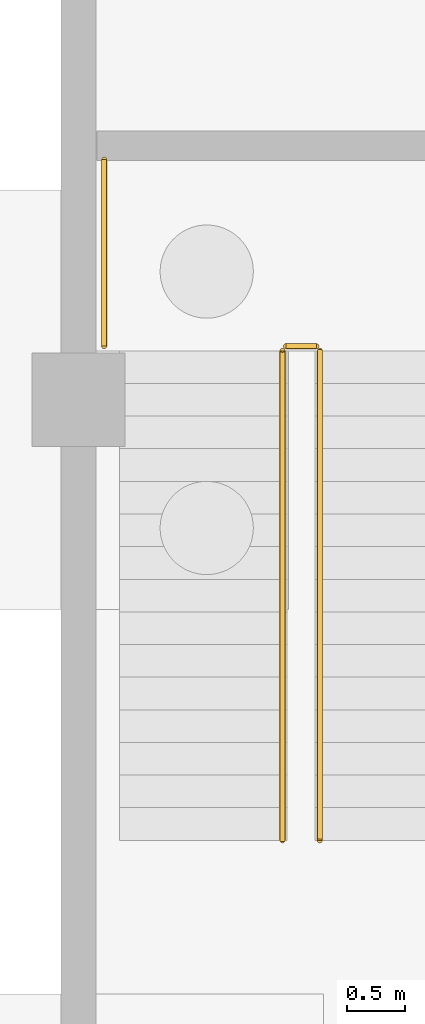
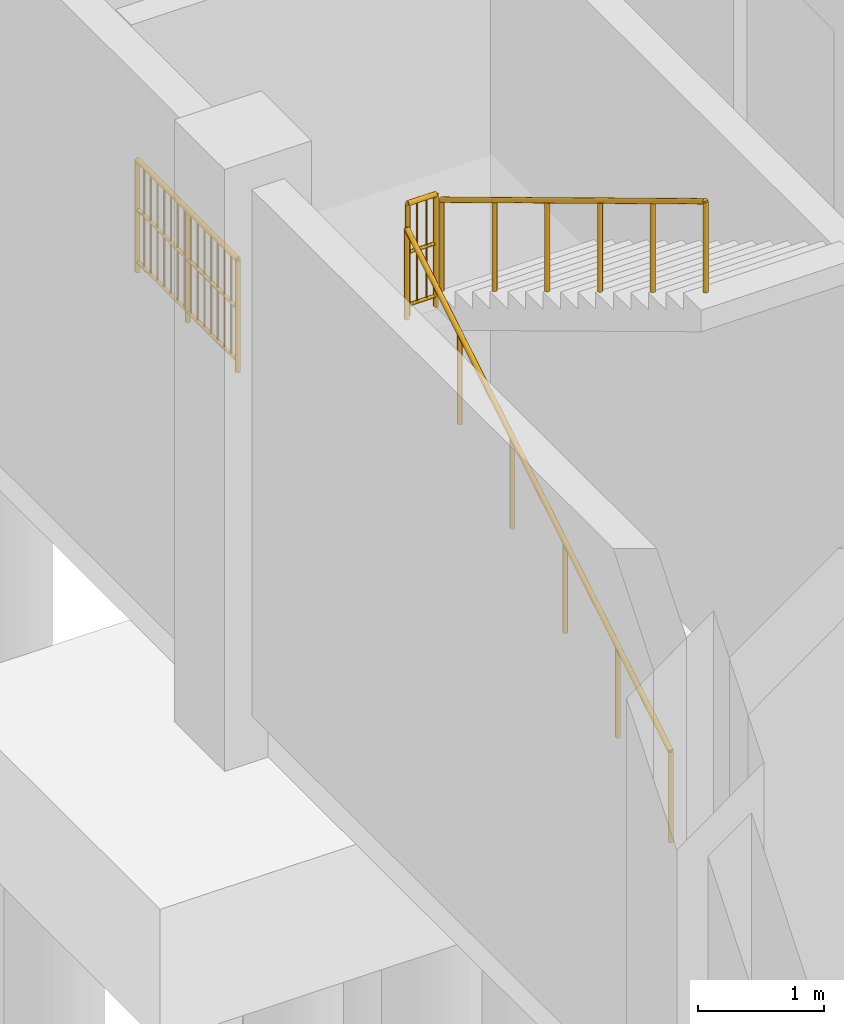
# One storey, part 32 of 35: 4 railings.
"""IFC4 building model written with IfcOpenShell, lengths in metres."""

import ifcopenshell
import ifcopenshell.guid

model = None  # the IFC model being written
_history = None  # IfcOwnerHistory: only IFC2X3 demands one
_inside = {}  # id of a spatial element -> (the spatial element, [elements in it])
_under = {}  # id of a project, library or spatial element -> (it, [spatial elements below it])
_declared = {}  # id of a project -> (the project, [libraries it declares])
_typed = {}  # id of a type object -> (the type object, [elements of that type])
_made_of = {}  # id of a material, layer set ... -> (it, [elements and type objects made of it])


def new_model(schema):
    """Start an empty IFC model of exactly this schema.

    Asked for "IFC4X3", IfcOpenShell would pick the latest addendum, in which some entities
    have other attributes; the version numbers below select the first issue.
    IFC2X3 requires an IfcOwnerHistory on every rooted entity: one is made here for all.
    """
    global model, _history
    if schema == "IFC4X3":
        model = ifcopenshell.file(schema_version=(4, 3, 0, 0))
    else:
        model = ifcopenshell.file(schema=schema)
    _inside.clear()
    _under.clear()
    _declared.clear()
    _typed.clear()
    _made_of.clear()
    _history = None
    if model.schema == "IFC2X3":
        org = make("IfcOrganization", Name="unknown")
        user = make(
            "IfcPersonAndOrganization",
            ThePerson=make("IfcPerson", FamilyName="unknown"),
            TheOrganization=org,
        )
        app = make(
            "IfcApplication",
            ApplicationDeveloper=org,
            Version="unknown",
            ApplicationFullName="unknown",
            ApplicationIdentifier="unknown",
        )
        _history = make(
            "IfcOwnerHistory",
            OwningUser=user,
            OwningApplication=app,
            ChangeAction="ADDED",
            CreationDate=0,
        )
    return model


def make(cls, **values):
    """One entity of the class cls with the attributes given. An attribute that is None is left unset."""
    return model.create_entity(
        cls, **{name: value for name, value in values.items() if value is not None}
    )


def rooted(cls, **values):
    """An entity with a GlobalId (a new one), such as an element, a storey or a relation."""
    return make(cls, GlobalId=ifcopenshell.guid.new(), OwnerHistory=_history, **values)


def si_unit(unit_type, name, prefix=None):
    """IfcSIUnit, for example si_unit("LENGTHUNIT", "METRE", prefix="MILLI")."""
    return make("IfcSIUnit", UnitType=unit_type, Prefix=prefix, Name=name)


def assignment(units):
    """IfcUnitAssignment: the units of a project."""
    return None if units is None else make("IfcUnitAssignment", Units=units)


def point(xyz):
    """IfcCartesianPoint."""
    return None if xyz is None else make("IfcCartesianPoint", Coordinates=xyz)


def direction(xyz):
    """IfcDirection."""
    return None if xyz is None else make("IfcDirection", DirectionRatios=xyz)


def frame(location, z_axis=None, x_axis=None):
    """IfcAxis2Placement3D, a coordinate frame: its origin and axes. An axis left out is left unset."""
    return make(
        "IfcAxis2Placement3D",
        Location=point(location),
        Axis=direction(z_axis),
        RefDirection=direction(x_axis),
    )


def frame_2d(location, x_axis=None):
    """IfcAxis2Placement2D, a coordinate frame in the plane: its origin and x axis."""
    return make(
        "IfcAxis2Placement2D", Location=point(location), RefDirection=direction(x_axis)
    )


def origin():
    """The frame at (0, 0, 0) with its axes left unset."""
    return frame((0.0, 0.0, 0.0))


def origin_2d():
    """The frame at (0, 0) in the plane with its x axis left unset."""
    return frame_2d((0.0, 0.0))


def place(relative_to, where):
    """IfcLocalPlacement: puts the frame where relative to a parent placement (None: the world)."""
    return make(
        "IfcLocalPlacement", PlacementRelTo=relative_to, RelativePlacement=where
    )


def context(
    kind, dimensions, precision=None, world=None, true_north=None, identifier=None
):
    """IfcGeometricRepresentationContext, for example the 3D "Model" context."""
    return make(
        "IfcGeometricRepresentationContext",
        ContextIdentifier=identifier,
        ContextType=kind,
        CoordinateSpaceDimension=dimensions,
        Precision=precision,
        WorldCoordinateSystem=world,
        TrueNorth=true_north,
    )


def subcontext(parent, identifier, kind, view, scale=None):
    """IfcGeometricRepresentationSubContext, for example "Body" below "Model"."""
    return make(
        "IfcGeometricRepresentationSubContext",
        ContextIdentifier=identifier,
        ContextType=kind,
        ParentContext=parent,
        TargetScale=scale,
        TargetView=view,
    )


def project(units=None, contexts=None):
    """IfcProject with its units and contexts."""
    return rooted(
        "IfcProject",
        Name="project",
        RepresentationContexts=contexts,
        UnitsInContext=assignment(units),
    )


def spatial(cls, under=None, at=None, **own):
    """A site, building, storey or space (cls), placed at a placement, below another one or the project."""
    s = rooted(cls, ObjectPlacement=at, **own)
    if under is not None:
        _under.setdefault(under.id(), (under, []))[1].append(s)
    return s


def profile(cls, at=None, kind="AREA", **sizes):
    """A parametric profile (cls). Its sizes go by their IFC names, for example OverallWidth=200.0."""
    return make(cls, ProfileType=kind, Position=at, **sizes)


def circle(**sizes):
    """IfcCircleProfileDef."""
    return profile("IfcCircleProfileDef", **sizes)


def extrude(swept, where, along, depth):
    """IfcExtrudedAreaSolid: the profile swept, set in the frame where, extruded along a direction by depth."""
    return make(
        "IfcExtrudedAreaSolid",
        SweptArea=swept,
        Position=where,
        ExtrudedDirection=direction(along),
        Depth=depth,
    )


def shape(context_of_items, identifier, shape_type, items):
    """IfcShapeRepresentation: the items that make up one representation, for example the "Body"."""
    return make(
        "IfcShapeRepresentation",
        ContextOfItems=context_of_items,
        RepresentationIdentifier=identifier,
        RepresentationType=shape_type,
        Items=items,
    )


def material(Name=None, Category=None):
    """IfcMaterial."""
    return make("IfcMaterial", Name=Name, Category=Category)


def made_of(thing, what):
    """Note that an element or type object is made of a material, layer set ...; save() writes the relation."""
    if what is not None:
        _made_of.setdefault(what.id(), (what, []))[1].append(thing)
    return thing


def type_object(cls, material=None, **own):
    """A type object (cls), such as IfcWallType, which elements share."""
    return made_of(rooted(cls, **own), material)


def element(
    cls,
    number,
    at=None,
    inside=None,
    cuts=None,
    type_object=None,
    material=None,
    context=None,
    identifier="Body",
    shape_type=None,
    held_by="IfcProductDefinitionShape",
    body=None,
    shapes=None,
    **own,
):
    """One element of the class cls, such as IfcWall. Its Tag is "e" and its number.

    at: its placement. inside: the storey or other place that contains it. cuts: it is an
    opening in that element (IfcRelVoidsElement). A single representation is given by context,
    identifier, shape_type and body (its items); several are given by shapes. held_by: the class
    of the entity that holds the representations. save() writes the other relations.
    """
    e = rooted(cls, Tag="e%d" % number, ObjectPlacement=at, **own)
    if body is not None:
        shapes = [shape(context, identifier, shape_type, body)]
    if shapes is not None:
        e.Representation = make(held_by, Representations=shapes)
    if inside is not None:
        _inside.setdefault(inside.id(), (inside, []))[1].append(e)
    if cuts is not None:
        rooted(
            "IfcRelVoidsElement", RelatingBuildingElement=cuts, RelatedOpeningElement=e
        )
    if type_object is not None:
        _typed.setdefault(type_object.id(), (type_object, []))[1].append(e)
    return made_of(e, material)


def aggregate(whole, parts):
    """IfcRelAggregates: a whole, such as a stair, and the parts it consists of."""
    return rooted("IfcRelAggregates", RelatingObject=whole, RelatedObjects=parts)


def save(model, path):
    """Write the relations noted so far, then the file.

    IfcRelAggregates (storeys below a building ...), IfcRelContainedInSpatialStructure (elements
    in a storey), IfcRelDefinesByType, IfcRelAssociatesMaterial and IfcRelDeclares: one each for
    every whole, place, type object, material and project.
    """
    for whole, parts in _under.values():
        aggregate(whole, parts)
    for where, things in _inside.values():
        rooted(
            "IfcRelContainedInSpatialStructure",
            RelatedElements=things,
            RelatingStructure=where,
        )
    for kind, things in _typed.values():
        rooted("IfcRelDefinesByType", RelatedObjects=things, RelatingType=kind)
    for what, things in _made_of.values():
        rooted("IfcRelAssociatesMaterial", RelatedObjects=things, RelatingMaterial=what)
    for by, libraries in _declared.values():
        rooted("IfcRelDeclares", RelatingContext=by, RelatedDefinitions=libraries)
    model.write(path)


model = new_model("IFC4")

# Units and contexts
model_context = context("Model", 3, precision=1e-05, world=origin(), true_north=direction((0.0, 1.0)))
body_context = subcontext(model_context, "Body", "Model", "MODEL_VIEW")
ifc_project = project(units=[si_unit("LENGTHUNIT", "METRE"), si_unit("AREAUNIT", "SQUARE_METRE"), si_unit("VOLUMEUNIT", "CUBIC_METRE"), si_unit("PLANEANGLEUNIT", "RADIAN"), si_unit("MASSUNIT", "GRAM", prefix="KILO")], contexts=[model_context])

# Site, building, storey
site_placement = place(None, origin())
site = spatial("IfcSite", under=ifc_project, at=site_placement, CompositionType="ELEMENT")
building_placement = place(site_placement, origin())
building = spatial("IfcBuilding", under=site, at=building_placement, Name="Vesperath Aquatics Centre", CompositionType="ELEMENT")
storey_placement = place(building_placement, frame((0.0, 0.0, -5.39990234375)))
storey = spatial("IfcBuildingStorey", under=building, at=storey_placement, Name="B1", CompositionType="ELEMENT", Elevation=-5.39990234375)

# Railings
ifc_material_1 = material(Name="Powder-coated galvanized steel safety guard", Category="steel")
railing_type_1 = type_object("IfcRailingType", Name="RL-GRD01", PredefinedType="GUARDRAIL", material=ifc_material_1)
railing_1_placement = place(storey_placement, frame((95.3798828125, 65.260009765625, 2.699951171875)))
element("IfcRailing", 1, at=railing_1_placement, inside=storey, type_object=railing_type_1, Name="Stair ST8 Half-Landing Slot Guard GR02 B1", PredefinedType="GUARDRAIL", context=body_context, shape_type="SweptSolid", body=[
    extrude(circle(Radius=0.02392578125, at=origin_2d()), frame((0.0, 0.0, 1.0859375), z_axis=(1.0, 0.0, 0.0), x_axis=(0.0, 1.0, 0.0)), (0.0, 0.0, 1.0), 0.260009765625),
    extrude(circle(Radius=0.01611328125, at=origin_2d()), frame((0.0, 0.0, 0.10009765625), z_axis=(1.0, 0.0, 0.0), x_axis=(0.0, 1.0, 0.0)), (0.0, 0.0, 1.0), 0.260009765625),
    extrude(circle(Radius=0.01611328125, at=origin_2d()), frame((0.0, 0.0, 0.610595703125), z_axis=(1.0, 0.0, 0.0), x_axis=(0.0, 1.0, 0.0)), (0.0, 0.0, 1.0), 0.260009765625),
    extrude(circle(Radius=0.009033203125, at=origin_2d()), frame((0.086669921875, 0.0, 0.10009765625)), (0.0, 0.0, 1.0), 0.9619140625),
    extrude(circle(Radius=0.009033203125, at=origin_2d()), frame((0.17333984375, 0.0, 0.10009765625)), (0.0, 0.0, 1.0), 0.9619140625),
    extrude(circle(Radius=0.02197265625, at=origin_2d()), origin(), (0.0, 0.0, 1.0), 1.0859375),
    extrude(circle(Radius=0.02197265625, at=origin_2d()), frame((0.260009765625, 0.0, 0.0)), (0.0, 0.0, 1.0), 1.0859375),
])
railing_2_placement = place(storey_placement, frame((93.820068359375, 65.260009765625, 2.699951171875)))
element("IfcRailing", 2, at=railing_2_placement, inside=storey, type_object=railing_type_1, Name="Stair ST8 Half-Landing Wall Guard GR02 B1", PredefinedType="GUARDRAIL", context=body_context, shape_type="SweptSolid", body=[
    extrude(circle(Radius=0.02392578125, at=origin_2d()), frame((0.0, 0.0, 1.0859375), z_axis=(0.0, 1.0, 0.0), x_axis=(-1.0, 0.0, 0.0)), (0.0, 0.0, 1.0), 1.60009765625),
    extrude(circle(Radius=0.01611328125, at=origin_2d()), frame((0.0, 0.0, 0.10009765625), z_axis=(0.0, 1.0, 0.0), x_axis=(-1.0, 0.0, 0.0)), (0.0, 0.0, 1.0), 1.60009765625),
    extrude(circle(Radius=0.01611328125, at=origin_2d()), frame((0.0, 0.0, 0.610595703125), z_axis=(0.0, 1.0, 0.0), x_axis=(-1.0, 0.0, 0.0)), (0.0, 0.0, 1.0), 1.60009765625),
    extrude(circle(Radius=0.009033203125, at=origin_2d()), frame((0.0, 0.106689453125, 0.10009765625)), (0.0, 0.0, 1.0), 0.9619140625),
    extrude(circle(Radius=0.009033203125, at=origin_2d()), frame((0.0, 0.21337890625, 0.10009765625)), (0.0, 0.0, 1.0), 0.9619140625),
    extrude(circle(Radius=0.009033203125, at=origin_2d()), frame((0.0, 0.320068359375, 0.10009765625)), (0.0, 0.0, 1.0), 0.9619140625),
    extrude(circle(Radius=0.009033203125, at=origin_2d()), frame((0.0, 0.4267578125, 0.10009765625)), (0.0, 0.0, 1.0), 0.9619140625),
    extrude(circle(Radius=0.009033203125, at=origin_2d()), frame((0.0, 0.533447265625, 0.10009765625)), (0.0, 0.0, 1.0), 0.9619140625),
    extrude(circle(Radius=0.009033203125, at=origin_2d()), frame((0.0, 0.64013671875, 0.10009765625)), (0.0, 0.0, 1.0), 0.9619140625),
    extrude(circle(Radius=0.009033203125, at=origin_2d()), frame((0.0, 0.746826171875, 0.10009765625)), (0.0, 0.0, 1.0), 0.9619140625),
    extrude(circle(Radius=0.009033203125, at=origin_2d()), frame((0.0, 0.853271484375, 0.10009765625)), (0.0, 0.0, 1.0), 0.9619140625),
    extrude(circle(Radius=0.009033203125, at=origin_2d()), frame((0.0, 0.9599609375, 0.10009765625)), (0.0, 0.0, 1.0), 0.9619140625),
    extrude(circle(Radius=0.009033203125, at=origin_2d()), frame((0.0, 1.066650390625, 0.10009765625)), (0.0, 0.0, 1.0), 0.9619140625),
    extrude(circle(Radius=0.009033203125, at=origin_2d()), frame((0.0, 1.17333984375, 0.10009765625)), (0.0, 0.0, 1.0), 0.9619140625),
    extrude(circle(Radius=0.009033203125, at=origin_2d()), frame((0.0, 1.280029296875, 0.10009765625)), (0.0, 0.0, 1.0), 0.9619140625),
    extrude(circle(Radius=0.009033203125, at=origin_2d()), frame((0.0, 1.38671875, 0.10009765625)), (0.0, 0.0, 1.0), 0.9619140625),
    extrude(circle(Radius=0.009033203125, at=origin_2d()), frame((0.0, 1.493408203125, 0.10009765625)), (0.0, 0.0, 1.0), 0.9619140625),
    extrude(circle(Radius=0.02197265625, at=origin_2d()), origin(), (0.0, 0.0, 1.0), 1.0859375),
    extrude(circle(Radius=0.02197265625, at=origin_2d()), frame((0.0, 0.800048828125, 0.0)), (0.0, 0.0, 1.0), 1.0859375),
    extrude(circle(Radius=0.02197265625, at=origin_2d()), frame((0.0, 1.60009765625, 0.0)), (0.0, 0.0, 1.0), 1.0859375),
])
ifc_material_2 = material(Name="Brushed stainless steel tubular handrail", Category="steel")
railing_type_2 = type_object("IfcRailingType", Name="RL-HND01", PredefinedType="HANDRAIL", material=ifc_material_2)
railing_3_placement = place(storey_placement, frame((95.35009765625, 61.02001953125, 0.168701171875)))
element("IfcRailing", 3, at=railing_3_placement, inside=storey, type_object=railing_type_2, Name="Stair ST8 Flight 1 Handrail HR01 B1", PredefinedType="HANDRAIL", context=body_context, shape_type="SweptSolid", body=[
    extrude(circle(Radius=0.02392578125, at=origin_2d()), frame((0.0, 0.0, 0.8759765625), z_axis=(0.0, 0.856476492594, 0.516186030065), x_axis=(-1.0, 0.0, 0.0)), (0.0, 0.0, 1.0), 4.90380859375),
    extrude(circle(Radius=0.02197265625, at=origin_2d()), origin(), (0.0, 0.0, 1.0), 0.8759765625),
    extrude(circle(Radius=0.02197265625, at=origin_2d()), frame((0.0, 0.840087890625, 0.50634765625)), (0.0, 0.0, 1.0), 0.8759765625),
    extrude(circle(Radius=0.02197265625, at=origin_2d()), frame((0.0, 1.679931640625, 1.012451171875)), (0.0, 0.0, 1.0), 0.8759765625),
    extrude(circle(Radius=0.02197265625, at=origin_2d()), frame((0.0, 2.52001953125, 1.518798828125)), (0.0, 0.0, 1.0), 0.8759765625),
    extrude(circle(Radius=0.02197265625, at=origin_2d()), frame((0.0, 3.35986328125, 2.02490234375)), (0.0, 0.0, 1.0), 0.8759765625),
    extrude(circle(Radius=0.02197265625, at=origin_2d()), frame((0.0, 4.199951171875, 2.53125)), (0.0, 0.0, 1.0), 0.8759765625),
])
railing_4_placement = place(storey_placement, frame((95.669921875, 65.219970703125, 2.86865234375)))
element("IfcRailing", 4, at=railing_4_placement, inside=storey, type_object=railing_type_2, Name="Stair ST8 Flight 2 Handrail HR01 B1", PredefinedType="HANDRAIL", context=body_context, shape_type="SweptSolid", body=[
    extrude(circle(Radius=0.02392578125, at=origin_2d()), frame((0.0, 0.0, 0.8759765625), z_axis=(0.0, -0.856476492594, 0.516186030065), x_axis=(1.0, 0.0, 0.0)), (0.0, 0.0, 1.0), 4.90380859375),
    extrude(circle(Radius=0.02197265625, at=origin_2d()), origin(), (0.0, 0.0, 1.0), 0.8759765625),
    extrude(circle(Radius=0.02197265625, at=origin_2d()), frame((0.0, -0.840087890625, 0.50634765625)), (0.0, 0.0, 1.0), 0.8759765625),
    extrude(circle(Radius=0.02197265625, at=origin_2d()), frame((0.0, -1.679931640625, 1.012451171875)), (0.0, 0.0, 1.0), 0.8759765625),
    extrude(circle(Radius=0.02197265625, at=origin_2d()), frame((0.0, -2.52001953125, 1.518798828125)), (0.0, 0.0, 1.0), 0.8759765625),
    extrude(circle(Radius=0.02197265625, at=origin_2d()), frame((0.0, -3.35986328125, 2.02490234375)), (0.0, 0.0, 1.0), 0.8759765625),
    extrude(circle(Radius=0.02197265625, at=origin_2d()), frame((0.0, -4.199951171875, 2.53125)), (0.0, 0.0, 1.0), 0.8759765625),
])

save(model, "model.ifc")
